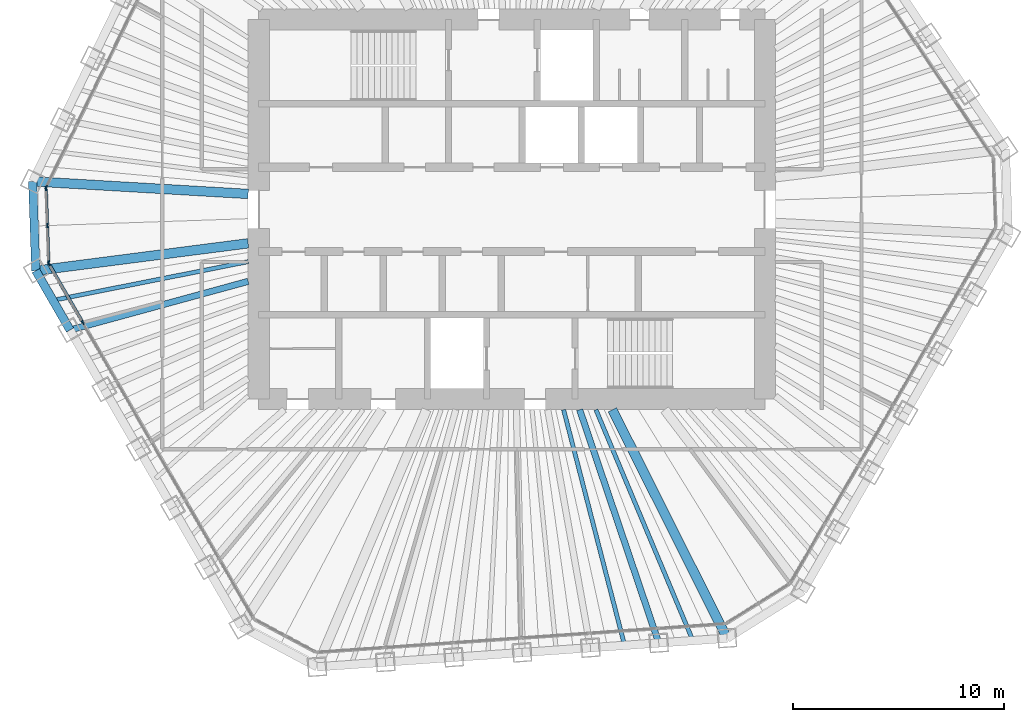
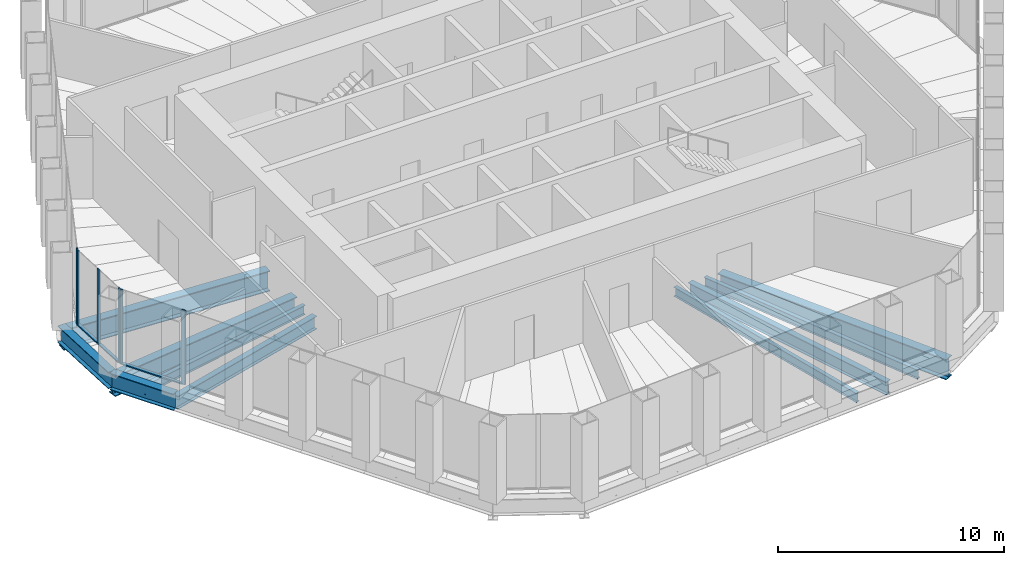
# One storey, part 3 of 14: 10 beams, 9 members, 3 elements without a shape of their own.
"""IFC4 building model written with IfcOpenShell, lengths in metres."""

from ifc_helpers import new_model, si_unit, direction, frame, origin, origin_2d, place, context, subcontext, project, spatial, rectangle, i_section, extrude, material, material_profile, profile_set, type_object, element, aggregate, save


model = new_model("IFC4")

# Units and contexts
model_context = context("Model", 3, precision=1e-05, world=origin(), true_north=direction((0.0, 1.0)))
body_context = subcontext(model_context, "Body", "Model", "MODEL_VIEW")
ifc_project = project(units=[si_unit("LENGTHUNIT", "METRE"), si_unit("AREAUNIT", "SQUARE_METRE"), si_unit("VOLUMEUNIT", "CUBIC_METRE"), si_unit("PLANEANGLEUNIT", "RADIAN"), si_unit("MASSUNIT", "GRAM", prefix="KILO")], contexts=[model_context])

# Site, building, storey
site_placement = place(None, origin())
site = spatial("IfcSite", under=ifc_project, at=site_placement, CompositionType="ELEMENT")
building_placement = place(site_placement, origin())
building = spatial("IfcBuilding", under=site, at=building_placement, Name="Qingtian Harvest Tower", CompositionType="ELEMENT")
storey_placement = place(building_placement, frame((0.0, 0.0, 291.39990234375)))
storey = spatial("IfcBuildingStorey", under=building, at=storey_placement, Name="L64", CompositionType="ELEMENT", Elevation=291.39990234375)

# Beams
ifc_material_1 = material(Name="Steel SM570MC", Category="steel")
ifc_material_profile_1 = material_profile(ifc_material_1, i_section(OverallWidth=0.449951171875, OverallDepth=1.10009765625, WebThickness=0.02197265625, FlangeThickness=0.044921875, at=origin_2d()), Name="H1100x450x22x45")
ifc_profile_set_1 = profile_set([ifc_material_profile_1], Name="Steel SM570MC")
beam_type_1 = type_object("IfcBeamType", Name="Corner floor beam FB8 H1100x450x22x45", PredefinedType="BEAM", material=ifc_profile_set_1)
beam_1_placement = place(storey_placement, frame((10.20947265625, -20.33740234375, -0.719970703125), z_axis=(-0.448646499463, 0.89370930314, 0.0), x_axis=(-0.89370930314, -0.448646499463, 0.0)))
element("IfcBeam", 1, at=beam_1_placement, inside=storey, type_object=beam_type_1, Name="Floor beam FB8 S0", PredefinedType="BEAM", context=body_context, shape_type="SweptSolid", body=[
    extrude(i_section(OverallWidth=0.449951171875, OverallDepth=1.10009765625, WebThickness=0.02197265625, FlangeThickness=0.044921875, at=origin_2d()), origin(), (0.0, 0.0, 1.0), 12.126220703125),
])
beam_2_placement = place(storey_placement, frame((-22.569580078125, -2.908447265625, -0.719970703125), z_axis=(0.991799019918, 0.127807292784, 0.0), x_axis=(-0.127807292784, 0.991799019918, 0.0)))
element("IfcBeam", 2, at=beam_2_placement, inside=storey, type_object=beam_type_1, Name="Floor beam FB8 SW6", PredefinedType="BEAM", context=body_context, shape_type="SweptSolid", body=[
    extrude(i_section(OverallWidth=0.449951171875, OverallDepth=1.10009765625, WebThickness=0.02197265625, FlangeThickness=0.044921875, at=origin_2d()), origin(), (0.0, 0.0, 1.0), 10.15283203125),
])
beam_3_placement = place(storey_placement, frame((-22.71728515625, 1.3271484375, -0.719970703125), z_axis=(0.998297736533, -0.058323487833, 0.0), x_axis=(0.058323487833, 0.998297736533, 0.0)))
element("IfcBeam", 3, at=beam_3_placement, inside=storey, type_object=beam_type_1, Name="Floor beam FB8 NW0", PredefinedType="BEAM", context=body_context, shape_type="SweptSolid", body=[
    extrude(i_section(OverallWidth=0.449951171875, OverallDepth=1.10009765625, WebThickness=0.02197265625, FlangeThickness=0.044921875, at=origin_2d()), origin(), (0.0, 0.0, 1.0), 10.234619140625),
])
ifc_material_2 = material(Name="Steel SN490B", Category="steel")
ifc_material_profile_2 = material_profile(ifc_material_2, i_section(OverallWidth=0.300048828125, OverallDepth=0.699951171875, WebThickness=0.012939453125, FlangeThickness=0.02392578125, at=origin_2d()), Name="H700x300x13x24")
ifc_profile_set_2 = profile_set([ifc_material_profile_2], Name="Steel SN490B")
beam_type_2 = type_object("IfcBeamType", Name="Floor beam FB4 H700x300x13x24", PredefinedType="BEAM", material=ifc_profile_set_2)
beam_4_placement = place(storey_placement, frame((6.96923828125, -20.56396484375, -0.52001953125), z_axis=(-0.320963665382, 0.947091508517, 0.0), x_axis=(-0.947091508517, -0.320963665382, 0.0)))
element("IfcBeam", 4, at=beam_4_placement, inside=storey, type_object=beam_type_2, Name="Floor beam FB4 S1", PredefinedType="BEAM", context=body_context, shape_type="SweptSolid", body=[
    extrude(i_section(OverallWidth=0.300048828125, OverallDepth=0.699951171875, WebThickness=0.012939453125, FlangeThickness=0.02392578125, at=origin_2d()), origin(), (0.0, 0.0, 1.0), 11.68212890625),
])
beam_5_placement = place(storey_placement, frame((-20.945556640625, -5.721435546875, -0.52001953125), z_axis=(0.964660783636, 0.263494919335, 0.0), x_axis=(-0.263494919335, 0.964660783636, 0.0)))
element("IfcBeam", 5, at=beam_5_placement, inside=storey, type_object=beam_type_2, Name="Floor beam FB4 SW5", PredefinedType="BEAM", context=body_context, shape_type="SweptSolid", body=[
    extrude(i_section(OverallWidth=0.300048828125, OverallDepth=0.699951171875, WebThickness=0.012939453125, FlangeThickness=0.02392578125, at=origin_2d()), origin(), (0.0, 0.0, 1.0), 8.7548828125),
])
ifc_material_3 = material(Name="Steel SN490B", Category="steel")
ifc_material_profile_3 = material_profile(ifc_material_3, i_section(OverallWidth=0.199951171875, OverallDepth=0.5, WebThickness=0.010009765625, FlangeThickness=0.01611328125, at=origin_2d()), Name="H500x200x10x16")
ifc_profile_set_3 = profile_set([ifc_material_profile_3], Name="Steel SN490B")
beam_type_3 = type_object("IfcBeamType", Name="Floor joist J3 H500x200x10x16", PredefinedType="JOIST", material=ifc_profile_set_3)
beam_6_placement = place(storey_placement, frame((8.58935546875, -20.45068359375, -0.419921875), z_axis=(-0.387238075679, 0.921979757232, 0.0), x_axis=(-0.921979757232, -0.387238075679, 0.0)))
element("IfcBeam", 6, at=beam_6_placement, inside=storey, type_object=beam_type_3, Name="Floor joist J3 S0", PredefinedType="JOIST", context=body_context, shape_type="SweptSolid", body=[
    extrude(i_section(OverallWidth=0.199951171875, OverallDepth=0.5, WebThickness=0.010009765625, FlangeThickness=0.01611328125, at=origin_2d()), origin(), (0.0, 0.0, 1.0), 11.87744140625),
])
beam_7_placement = place(storey_placement, frame((5.349365234375, -20.67724609375, -0.419921875), z_axis=(-0.250458686855, 0.968127288211, 0.0), x_axis=(-0.968127288211, -0.250458686855, 0.0)))
element("IfcBeam", 7, at=beam_7_placement, inside=storey, type_object=beam_type_3, Name="Floor joist J3 S1", PredefinedType="JOIST", context=body_context, shape_type="SweptSolid", body=[
    extrude(i_section(OverallWidth=0.199951171875, OverallDepth=0.5, WebThickness=0.010009765625, FlangeThickness=0.01611328125, at=origin_2d()), origin(), (0.0, 0.0, 1.0), 11.545166015625),
])
beam_8_placement = place(storey_placement, frame((-21.757568359375, -4.31494140625, -0.419921875), z_axis=(0.980896774681, 0.194528962937, 0.0), x_axis=(-0.194528962937, 0.980896774681, 0.0)))
element("IfcBeam", 8, at=beam_8_placement, inside=storey, type_object=beam_type_3, Name="Floor joist J3 SW5", PredefinedType="JOIST", context=body_context, shape_type="SweptSolid", body=[
    extrude(i_section(OverallWidth=0.199951171875, OverallDepth=0.5, WebThickness=0.010009765625, FlangeThickness=0.01611328125, at=origin_2d()), origin(), (0.0, 0.0, 1.0), 9.437744140625),
])

# Curtain wall, members
ifc_material_4 = material(Name="Bronze-anodised aluminium curtain wall", Category="aluminium")
curtain_wall_type = type_object("IfcCurtainWallType", Name="Curtain wall CW5 upper office", PredefinedType="USERDEFINED", material=ifc_material_4)
curtain_wall_1_placement = place(storey_placement, origin())
curtain_wall_1 = element("IfcCurtainWall", 9, at=curtain_wall_1_placement, inside=storey, type_object=curtain_wall_type, Name="Curtain wall CW5 L64 SW0-5", ObjectType="RECESSED CURTAIN WALL", PredefinedType="USERDEFINED")
ifc_material_5 = material(Name="Bronze-anodised aluminium mullion", Category="aluminium")
ifc_material_profile_4 = material_profile(ifc_material_5, rectangle(XDim=0.06494140625, YDim=0.199951171875, at=origin_2d()), Name="AL 65x200")
ifc_profile_set_4 = profile_set([ifc_material_profile_4], Name="Bronze-anodised aluminium mullion")
member_type_1 = type_object("IfcMemberType", Name="Mullion CWM 65x200", PredefinedType="MULLION", material=ifc_profile_set_4)
member_1_placement = place(storey_placement, frame((-20.33935546875, -5.371337890625, 0.0), z_axis=(0.0, 0.0, 1.0), x_axis=(-0.866025403784, -0.5, 0.0)))
member_1 = element("IfcMember", 10, at=member_1_placement, type_object=member_type_1, Name="CW5 mullion 6", PredefinedType="MULLION", context=body_context, shape_type="SweptSolid", body=[
    extrude(rectangle(XDim=0.06494140625, YDim=0.199951171875, at=origin_2d()), origin(), (0.0, 0.0, 1.0), 4.030029296875),
])
member_2_placement = place(storey_placement, frame((-21.947021484375, -2.586669921875, 0.0), z_axis=(0.0, 0.0, 1.0), x_axis=(-0.866025403784, -0.5, 0.0)))
member_2 = element("IfcMember", 11, at=member_2_placement, type_object=member_type_1, Name="CW5 mullion 7", PredefinedType="MULLION", context=body_context, shape_type="SweptSolid", body=[
    extrude(rectangle(XDim=0.06494140625, YDim=0.199951171875, at=origin_2d()), origin(), (0.0, 0.0, 1.0), 4.030029296875),
])

curtain_wall_2_placement = place(storey_placement, origin())
curtain_wall_2 = element("IfcCurtainWall", 12, at=curtain_wall_2_placement, inside=storey, type_object=curtain_wall_type, Name="Curtain wall CW5 L64 SWC", ObjectType="RECESSED CURTAIN WALL", PredefinedType="USERDEFINED")
member_3_placement = place(storey_placement, frame((-21.96435546875, -2.526123046875, 0.0), z_axis=(0.0, 0.0, 1.0), x_axis=(-0.999390827019, -0.034899496703, 0.0)))
member_3 = element("IfcMember", 13, at=member_3_placement, type_object=member_type_1, Name="CW5 mullion 1", PredefinedType="MULLION", context=body_context, shape_type="SweptSolid", body=[
    extrude(rectangle(XDim=0.06494140625, YDim=0.199951171875, at=origin_2d()), origin(), (0.0, 0.0, 1.0), 4.030029296875),
])
member_4_placement = place(storey_placement, frame((-22.025634765625, -0.76904296875, 0.0), z_axis=(0.0, 0.0, 1.0), x_axis=(-0.999390827019, -0.034899496703, 0.0)))
member_4 = element("IfcMember", 14, at=member_4_placement, type_object=member_type_1, Name="CW5 mullion 2", PredefinedType="MULLION", context=body_context, shape_type="SweptSolid", body=[
    extrude(rectangle(XDim=0.06494140625, YDim=0.199951171875, at=origin_2d()), origin(), (0.0, 0.0, 1.0), 4.030029296875),
])
member_5_placement = place(storey_placement, frame((-22.087158203125, 0.98779296875, 0.0), z_axis=(0.0, 0.0, 1.0), x_axis=(-0.999390827019, -0.034899496703, 0.0)))
member_5 = element("IfcMember", 15, at=member_5_placement, type_object=member_type_1, Name="CW5 mullion 3", PredefinedType="MULLION", context=body_context, shape_type="SweptSolid", body=[
    extrude(rectangle(XDim=0.06494140625, YDim=0.199951171875, at=origin_2d()), origin(), (0.0, 0.0, 1.0), 4.030029296875),
])

# Curtain wall, member
curtain_wall_3_placement = place(storey_placement, origin())
curtain_wall_3 = element("IfcCurtainWall", 16, at=curtain_wall_3_placement, inside=storey, type_object=curtain_wall_type, Name="Curtain wall CW5 L64 NW0-5", ObjectType="RECESSED CURTAIN WALL", PredefinedType="USERDEFINED")
member_6_placement = place(storey_placement, frame((-22.073974609375, 1.04931640625, 0.0), z_axis=(0.0, 0.0, 1.0), x_axis=(-0.898794046299, 0.438371146789, 0.0)))
member_6 = element("IfcMember", 17, at=member_6_placement, type_object=member_type_1, Name="CW5 mullion 1", PredefinedType="MULLION", context=body_context, shape_type="SweptSolid", body=[
    extrude(rectangle(XDim=0.06494140625, YDim=0.199951171875, at=origin_2d()), origin(), (0.0, 0.0, 1.0), 4.030029296875),
])
aggregate(curtain_wall_3, [member_6])

# Beams
ifc_material_6 = material(Name="Steel SN490B", Category="steel")
ifc_material_profile_5 = material_profile(ifc_material_6, i_section(OverallWidth=0.39990234375, OverallDepth=0.89990234375, WebThickness=0.01904296875, FlangeThickness=0.035888671875, at=origin_2d()), Name="H900x400x19x36")
ifc_profile_set_5 = profile_set([ifc_material_profile_5], Name="Steel SN490B")
beam_type_4 = type_object("IfcBeamType", Name="Spandrel beam SB4 H900x400x19x36", PredefinedType="SPANDREL", material=ifc_profile_set_5)
beam_9_placement = place(storey_placement, frame((-20.945556640625, -5.721435546875, -0.449951171875), z_axis=(-0.499987045439, 0.866032882975, 0.0), x_axis=(-0.866032882975, -0.499987045439, 0.0)))
element("IfcBeam", 18, at=beam_9_placement, inside=storey, type_object=beam_type_4, Name="Spandrel SB4 SW5", PredefinedType="SPANDREL", context=body_context, shape_type="SweptSolid", body=[
    extrude(i_section(OverallWidth=0.39990234375, OverallDepth=0.89990234375, WebThickness=0.01904296875, FlangeThickness=0.035888671875, at=origin_2d()), origin(), (0.0, 0.0, 1.0), 3.248046875),
])
beam_10_placement = place(storey_placement, frame((-22.569580078125, -2.908447265625, -0.449951171875), z_axis=(-0.034851142499, 0.999392514414, 0.0), x_axis=(-0.999392514414, -0.034851142499, 0.0)))
element("IfcBeam", 19, at=beam_10_placement, inside=storey, type_object=beam_type_4, Name="Spandrel SB4 SWC", PredefinedType="SPANDREL", context=body_context, shape_type="SweptSolid", body=[
    extrude(i_section(OverallWidth=0.39990234375, OverallDepth=0.89990234375, WebThickness=0.01904296875, FlangeThickness=0.035888671875, at=origin_2d()), origin(), (0.0, 0.0, 1.0), 4.23828125),
])

# Member
ifc_material_7 = material(Name="Bronze-anodised aluminium transom", Category="aluminium")
ifc_material_profile_6 = material_profile(ifc_material_7, rectangle(XDim=0.14990234375, YDim=0.06494140625, at=origin_2d()), Name="AL 65x150")
ifc_profile_set_6 = profile_set([ifc_material_profile_6], Name="Bronze-anodised aluminium transom")
member_type_2 = type_object("IfcMemberType", Name="Transom CWT 65x150", PredefinedType="USERDEFINED", material=ifc_profile_set_6)
member_7_placement = place(storey_placement, frame((-20.35546875, -5.34326171875, 0.03271484375), z_axis=(-0.499972881236, 0.866041060244, 0.0), x_axis=(-0.866041060244, -0.499972881236, 0.0)))
member_7 = element("IfcMember", 20, at=member_7_placement, type_object=member_type_2, Name="CW5 transom 6.1", ObjectType="TRANSOM", PredefinedType="USERDEFINED", context=body_context, shape_type="SweptSolid", body=[
    extrude(rectangle(XDim=0.14990234375, YDim=0.06494140625, at=origin_2d()), origin(), (0.0, 0.0, 1.0), 3.150634765625),
])

aggregate(curtain_wall_1, [member_1, member_2, member_7])

member_8_placement = place(storey_placement, frame((-21.965576171875, -2.49365234375, 0.03271484375), z_axis=(-0.034899362377, 0.99939083171, 0.0), x_axis=(-0.99939083171, -0.034899362377, 0.0)))
member_8 = element("IfcMember", 21, at=member_8_placement, type_object=member_type_2, Name="CW5 transom 1.1", ObjectType="TRANSOM", PredefinedType="USERDEFINED", context=body_context, shape_type="SweptSolid", body=[
    extrude(rectangle(XDim=0.14990234375, YDim=0.06494140625, at=origin_2d()), origin(), (0.0, 0.0, 1.0), 1.69287109375),
])

member_9_placement = place(storey_placement, frame((-22.02685546875, -0.736572265625, 0.03271484375), z_axis=(-0.034899362377, 0.99939083171, 0.0), x_axis=(-0.99939083171, -0.034899362377, 0.0)))
member_9 = element("IfcMember", 22, at=member_9_placement, type_object=member_type_2, Name="CW5 transom 2.1", ObjectType="TRANSOM", PredefinedType="USERDEFINED", context=body_context, shape_type="SweptSolid", body=[
    extrude(rectangle(XDim=0.14990234375, YDim=0.06494140625, at=origin_2d()), origin(), (0.0, 0.0, 1.0), 1.69287109375),
])

aggregate(curtain_wall_2, [member_3, member_4, member_5, member_8, member_9])

save(model, "model.ifc")
